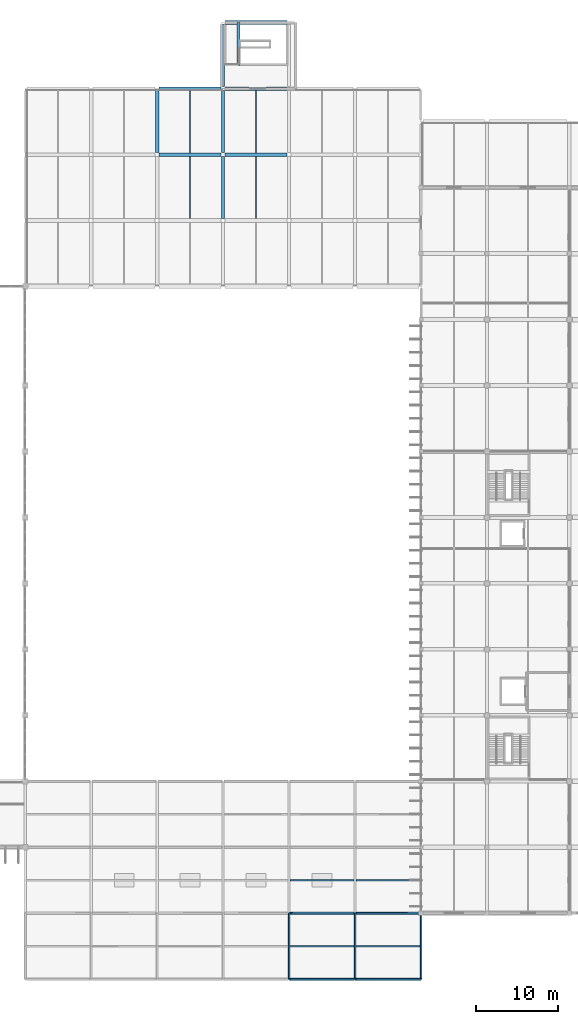
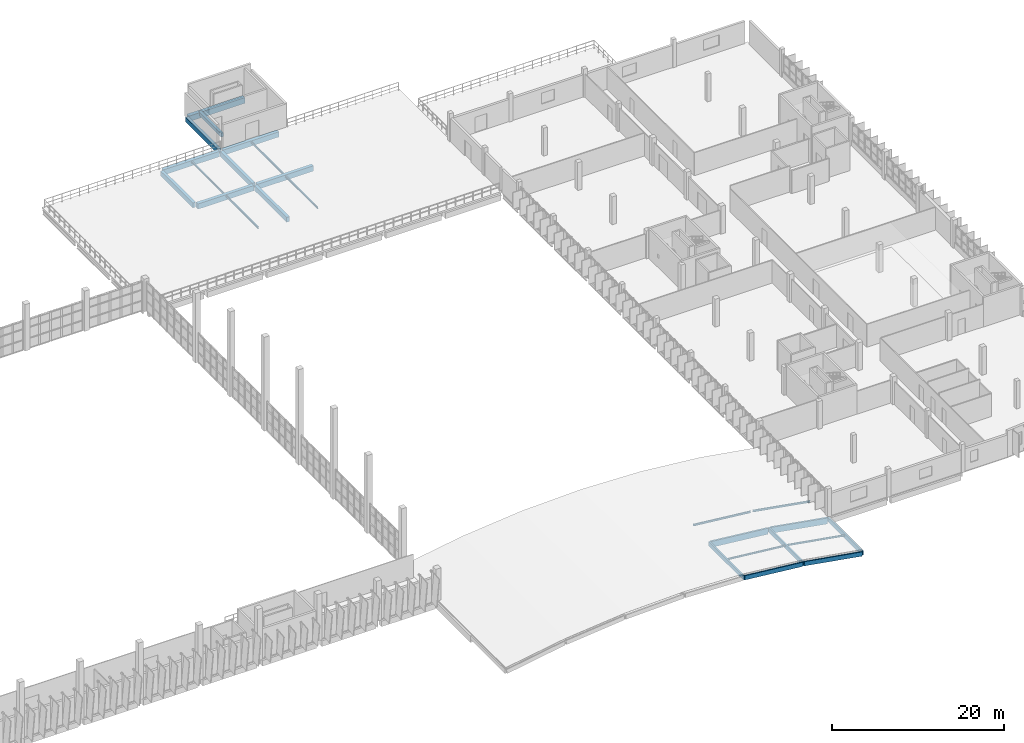
# One storey, part 24 of 66: 21 beams, 4 members.
"""IFC4 building model written with IfcOpenShell, lengths in metres."""

from ifc_helpers import new_model, si_unit, direction, frame, origin, origin_2d, place, context, subcontext, project, spatial, rectangle, i_section, extrude, material, material_profile, profile_set, type_object, element, save


model = new_model("IFC4")

# Units and contexts
model_context = context("Model", 3, precision=1e-05, world=origin(), true_north=direction((0.0, 1.0)))
body_context = subcontext(model_context, "Body", "Model", "MODEL_VIEW")
ifc_project = project(units=[si_unit("LENGTHUNIT", "METRE"), si_unit("AREAUNIT", "SQUARE_METRE"), si_unit("VOLUMEUNIT", "CUBIC_METRE"), si_unit("PLANEANGLEUNIT", "RADIAN"), si_unit("MASSUNIT", "GRAM", prefix="KILO")], contexts=[model_context])

# Site, building, storey
site_placement = place(None, origin())
site = spatial("IfcSite", under=ifc_project, at=site_placement, CompositionType="ELEMENT")
building_placement = place(site_placement, origin())
building = spatial("IfcBuilding", under=site, at=building_placement, Name="Drelvana Railside Aquatics Centre", CompositionType="ELEMENT")
storey_placement = place(building_placement, frame((0.0, 0.0, 10.199951171875)))
storey = spatial("IfcBuildingStorey", under=building, at=storey_placement, Name="L02", CompositionType="ELEMENT", Elevation=10.199951171875)

# Beams
ifc_material_1 = material(Name="Concrete C40/50", Category="concrete")
ifc_material_profile_1 = material_profile(ifc_material_1, rectangle(XDim=0.35009765625, YDim=0.550048828125, at=origin_2d()), Name="RC 350x550")
ifc_profile_set_1 = profile_set([ifc_material_profile_1], Name="Concrete C40/50")
beam_type_1 = type_object("IfcBeamType", Name="STR-BM-BM-01-RC-350x550", PredefinedType="BEAM", material=ifc_profile_set_1)
beam_1_placement = place(storey_placement, frame((121.85009765625, 110.800048828125, -0.474853515625), z_axis=(0.0, 1.0, 0.0), x_axis=(-1.0, 0.0, 0.0)))
element("IfcBeam", 1, at=beam_1_placement, inside=storey, type_object=beam_type_1, Name="Stair ST-05 L02 landing beam", PredefinedType="BEAM", context=body_context, shape_type="SweptSolid", body=[
    extrude(rectangle(XDim=0.35009765625, YDim=0.550048828125, at=origin_2d()), origin(), (0.0, 0.0, 1.0), 5.199951171875),
])
ifc_material_profile_2 = material_profile(ifc_material_1, rectangle(XDim=0.39990234375, YDim=0.699951171875, at=origin_2d()), Name="RC 400x700")
ifc_profile_set_2 = profile_set([ifc_material_profile_2], Name="Concrete C40/50")
beam_type_2 = type_object("IfcBeamType", Name="STR-BM-BM-03-RC-400x700", PredefinedType="BEAM", material=ifc_profile_set_2)
for number, where, z_axis, x_axis, name in (
    (2, (112.0, 100.25, -0.599853515625), (0.0, 1.0, 0.0), (-1.0, 0.0, 0.0), "Girder BM-03 (L02)"),
    (3, (120.0, 92.25, -0.599853515625), (0.0, 1.0, 0.0), (-1.0, 0.0, 0.0), "Girder BM-03 (L02)"),
    (4, (120.0, 100.25, -0.599853515625), (0.0, 1.0, 0.0), (-1.0, 0.0, 0.0), "Girder BM-03 (L02)"),
    (5, (120.0, 108.25, -0.599853515625), (0.0, 1.0, 0.0), (-1.0, 0.0, 0.0), "Girder BM-03 (L02)"),
):
    element("IfcBeam", number, at=place(storey_placement, frame(where, z_axis=z_axis, x_axis=x_axis)), inside=storey, type_object=beam_type_2, Name=name, PredefinedType="BEAM", context=body_context, shape_type="SweptSolid", body=[
        extrude(rectangle(XDim=0.39990234375, YDim=0.699951171875, at=origin_2d()), origin(), (0.0, 0.0, 1.0), 7.5),
    ])
ifc_material_profile_3 = material_profile(ifc_material_1, rectangle(XDim=0.449951171875, YDim=0.75, at=origin_2d()), Name="RC 450x750")
ifc_profile_set_3 = profile_set([ifc_material_profile_3], Name="Concrete C40/50")
beam_type_3 = type_object("IfcBeamType", Name="STR-BM-BM-04-RC-450x750", PredefinedType="BEAM", material=ifc_profile_set_3)
for number, where, z_axis, x_axis, name in (
    (6, (112.25, 100.0, -0.625), (1.0, 0.0, 0.0), (0.0, 1.0, 0.0), "Girder BM-04 (L02)"),
    (7, (120.25, 100.0, -0.625), (1.0, 0.0, 0.0), (0.0, 1.0, 0.0), "Girder BM-04 (L02)"),
    (8, (112.25, 108.0, -0.625), (1.0, 0.0, 0.0), (0.0, 1.0, 0.0), "Girder BM-04 (L02)"),
    (9, (120.25, 108.0, -0.625), (1.0, 0.0, 0.0), (0.0, 1.0, 0.0), "Girder BM-04 (L02)"),
):
    element("IfcBeam", number, at=place(storey_placement, frame(where, z_axis=z_axis, x_axis=x_axis)), inside=storey, type_object=beam_type_3, Name=name, PredefinedType="BEAM", context=body_context, shape_type="SweptSolid", body=[
        extrude(rectangle(XDim=0.449951171875, YDim=0.75, at=origin_2d()), origin(), (0.0, 0.0, 1.0), 7.5),
    ])
ifc_material_profile_4 = material_profile(ifc_material_1, rectangle(XDim=0.5, YDim=0.800048828125, at=origin_2d()), Name="RC 500x800")
ifc_profile_set_4 = profile_set([ifc_material_profile_4], Name="Concrete C40/50")
beam_type_4 = type_object("IfcBeamType", Name="STR-BM-BM-06-RC-500x800", PredefinedType="SPANDREL", material=ifc_profile_set_4)
beam_2_placement = place(storey_placement, frame((120.25, 116.0, -0.64990234375), z_axis=(1.0, 0.0, 0.0), x_axis=(0.0, 1.0, 0.0)))
element("IfcBeam", 10, at=beam_2_placement, inside=storey, type_object=beam_type_4, Name="Girder BM-06 (L02)", PredefinedType="SPANDREL", context=body_context, shape_type="SweptSolid", body=[
    extrude(rectangle(XDim=0.5, YDim=0.800048828125, at=origin_2d()), origin(), (0.0, 0.0, 1.0), 7.5),
])
ifc_material_2 = material(Name="Glulam timber GL28h", Category="wood")
ifc_material_profile_5 = material_profile(ifc_material_2, rectangle(XDim=0.199951171875, YDim=0.60009765625, at=origin_2d()), Name="GL28h 200x600")
ifc_profile_set_5 = profile_set([ifc_material_profile_5], Name="Glulam timber GL28h")
beam_type_5 = type_object("IfcBeamType", Name="STR-GLB-GA-00", PredefinedType="BEAM", material=ifc_profile_set_5)
for number, where, z_axis, x_axis, name in (
    (11, (128.0, 0.0, 1.643310546875), (0.0, 1.0, 0.0), (-1.0, 0.0, 0.0), "Entrance Foyer vault portal beam X128-S"),
    (12, (136.0, 0.0, 0.84326171875), (0.0, 1.0, 0.0), (-1.0, 0.0, 0.0), "Entrance Foyer vault portal beam X136-S"),
    (13, (144.0, 0.0, -0.489990234375), (0.0, 1.0, 0.0), (-1.0, 0.0, 0.0), "Entrance Foyer vault portal beam X144-S"),
):
    element("IfcBeam", number, at=place(storey_placement, frame(where, z_axis=z_axis, x_axis=x_axis)), inside=storey, type_object=beam_type_5, Name=name, PredefinedType="BEAM", context=body_context, shape_type="SweptSolid", body=[
        extrude(rectangle(XDim=0.199951171875, YDim=0.60009765625, at=origin_2d()), origin(), (0.0, 0.0, 1.0), 8.0),
    ])
beam_3_placement = place(storey_placement, frame((128.094970703125, 0.0, 1.6083984375), z_axis=(0.994794136777, 0.0, -0.101904982376), x_axis=(0.0, 1.0, 0.0)))
element("IfcBeam", 14, at=beam_3_placement, inside=storey, type_object=beam_type_5, Name="Entrance Foyer vault arch Y0.5", PredefinedType="BEAM", context=body_context, shape_type="SweptSolid", body=[
    extrude(rectangle(XDim=0.199951171875, YDim=0.60009765625, at=origin_2d()), origin(), (0.0, 0.0, 1.0), 7.850830078125),
])
beam_4_placement = place(storey_placement, frame((136.094970703125, 0.0, 0.808349609375), z_axis=(0.98574004103, 0.0, -0.168275284904), x_axis=(0.0, 1.0, 0.0)))
element("IfcBeam", 15, at=beam_4_placement, inside=storey, type_object=beam_type_5, Name="Entrance Foyer vault arch Y0.6", PredefinedType="BEAM", context=body_context, shape_type="SweptSolid", body=[
    extrude(rectangle(XDim=0.199951171875, YDim=0.60009765625, at=origin_2d()), origin(), (0.0, 0.0, 1.0), 7.923095703125),
])
ifc_material_profile_6 = material_profile(ifc_material_2, rectangle(XDim=0.239990234375, YDim=0.840087890625, at=origin_2d()), Name="GL28h 240x840")
ifc_profile_set_6 = profile_set([ifc_material_profile_6], Name="Glulam timber GL28h")
beam_type_6 = type_object("IfcBeamType", Name="STR-GLB-GA-02", PredefinedType="BEAM", material=ifc_profile_set_6)
beam_5_placement = place(storey_placement, frame((128.135009765625, 8.0, 1.48828125), z_axis=(0.994689797807, 0.0, -0.102918444116), x_axis=(0.0, 1.0, 0.0)))
element("IfcBeam", 16, at=beam_5_placement, inside=storey, type_object=beam_type_6, Name="Entrance Foyer vault arch Y8.5", PredefinedType="BEAM", context=body_context, shape_type="SweptSolid", body=[
    extrude(rectangle(XDim=0.239990234375, YDim=0.840087890625, at=origin_2d()), origin(), (0.0, 0.0, 1.0), 7.771240234375),
])
beam_6_placement = place(storey_placement, frame((136.135009765625, 8.0, 0.6884765625), z_axis=(0.985444297957, 0.0, -0.169998634181), x_axis=(0.0, 1.0, 0.0)))
element("IfcBeam", 17, at=beam_6_placement, inside=storey, type_object=beam_type_6, Name="Entrance Foyer vault arch Y8.6", PredefinedType="BEAM", context=body_context, shape_type="SweptSolid", body=[
    extrude(rectangle(XDim=0.239990234375, YDim=0.840087890625, at=origin_2d()), origin(), (0.0, 0.0, 1.0), 7.84423828125),
])

# Members
ifc_material_3 = material(Name="Structural steel S355", Category="steel")
ifc_material_profile_7 = material_profile(ifc_material_3, i_section(OverallWidth=0.1201171875, OverallDepth=0.239990234375, WebThickness=0.006103515625, FlangeThickness=0.009765625, at=origin_2d()), Name="IPE 240")
ifc_profile_set_7 = profile_set([ifc_material_profile_7], Name="Structural steel S355")
member_type_1 = type_object("IfcMemberType", Name="STR-MBR-MR-03", PredefinedType="RAFTER", material=ifc_profile_set_7)
member_1_placement = place(storey_placement, frame((128.094970703125, 4.0, 1.788330078125), z_axis=(0.994794136777, 0.0, -0.101904982376), x_axis=(0.0, 1.0, 0.0)))
element("IfcMember", 18, at=member_1_placement, inside=storey, type_object=member_type_1, Name="Entrance Foyer vault purlin Y4.5", PredefinedType="RAFTER", context=body_context, shape_type="SweptSolid", body=[
    extrude(i_section(OverallWidth=0.1201171875, OverallDepth=0.239990234375, WebThickness=0.006103515625, FlangeThickness=0.009765625, at=origin_2d()), origin(), (0.0, 0.0, 1.0), 7.850830078125),
])
member_2_placement = place(storey_placement, frame((136.094970703125, 4.0, 0.98828125), z_axis=(0.98574004103, 0.0, -0.168275284904), x_axis=(0.0, 1.0, 0.0)))
element("IfcMember", 19, at=member_2_placement, inside=storey, type_object=member_type_1, Name="Entrance Foyer vault purlin Y4.6", PredefinedType="RAFTER", context=body_context, shape_type="SweptSolid", body=[
    extrude(i_section(OverallWidth=0.1201171875, OverallDepth=0.239990234375, WebThickness=0.006103515625, FlangeThickness=0.009765625, at=origin_2d()), origin(), (0.0, 0.0, 1.0), 7.923095703125),
])
ifc_material_profile_8 = material_profile(ifc_material_3, i_section(OverallWidth=0.135009765625, OverallDepth=0.27001953125, WebThickness=0.006591796875, FlangeThickness=0.01025390625, at=origin_2d()), Name="IPE 270")
ifc_profile_set_8 = profile_set([ifc_material_profile_8], Name="Structural steel S355")
member_type_2 = type_object("IfcMemberType", Name="STR-MBR-MR-04", PredefinedType="RAFTER", material=ifc_profile_set_8)
member_3_placement = place(storey_placement, frame((128.135009765625, 12.0, 1.7734375), z_axis=(0.994686581227, 0.0, -0.102949527089), x_axis=(0.0, 1.0, 0.0)))
element("IfcMember", 20, at=member_3_placement, inside=storey, type_object=member_type_2, Name="Entrance Foyer vault purlin Y12.5", PredefinedType="RAFTER", context=body_context, shape_type="SweptSolid", body=[
    extrude(i_section(OverallWidth=0.135009765625, OverallDepth=0.27001953125, WebThickness=0.006591796875, FlangeThickness=0.01025390625, at=origin_2d()), origin(), (0.0, 0.0, 1.0), 7.771240234375),
])
member_4_placement = place(storey_placement, frame((136.135009765625, 12.0, 0.973388671875), z_axis=(0.985449511524, 0.0, -0.169968409527), x_axis=(0.0, 1.0, 0.0)))
element("IfcMember", 21, at=member_4_placement, inside=storey, type_object=member_type_2, Name="Entrance Foyer vault purlin Y12.6", PredefinedType="RAFTER", context=body_context, shape_type="SweptSolid", body=[
    extrude(i_section(OverallWidth=0.135009765625, OverallDepth=0.27001953125, WebThickness=0.006591796875, FlangeThickness=0.01025390625, at=origin_2d()), origin(), (0.0, 0.0, 1.0), 7.843994140625),
])

# Beams
ifc_material_profile_9 = material_profile(ifc_material_3, i_section(OverallWidth=0.135009765625, OverallDepth=0.27001953125, WebThickness=0.006591796875, FlangeThickness=0.01025390625, at=origin_2d()), Name="IPE 270")
ifc_profile_set_9 = profile_set([ifc_material_profile_9], Name="Structural steel S355")
beam_type_7 = type_object("IfcBeamType", Name="STR-SBM-SJ-02-IPE-270", PredefinedType="JOIST", material=ifc_profile_set_9)
for number, where, z_axis, x_axis, name in (
    (22, (116.0, 92.22509765625, -0.385009765625), (0.0, 1.0, 0.0), (-1.0, 0.0, 0.0), "Secondary floor joist SJ-02 (L02)"),
    (23, (116.0, 100.22509765625, -0.385009765625), (0.0, 1.0, 0.0), (-1.0, 0.0, 0.0), "Secondary floor joist SJ-02 (L02)"),
    (24, (124.0, 92.22509765625, -0.385009765625), (0.0, 1.0, 0.0), (-1.0, 0.0, 0.0), "Secondary floor joist SJ-02 (L02)"),
    (25, (124.0, 100.22509765625, -0.385009765625), (0.0, 1.0, 0.0), (-1.0, 0.0, 0.0), "Secondary floor joist SJ-02 (L02)"),
):
    element("IfcBeam", number, at=place(storey_placement, frame(where, z_axis=z_axis, x_axis=x_axis)), inside=storey, type_object=beam_type_7, Name=name, PredefinedType="JOIST", context=body_context, shape_type="SweptSolid", body=[
        extrude(i_section(OverallWidth=0.135009765625, OverallDepth=0.27001953125, WebThickness=0.006591796875, FlangeThickness=0.01025390625, at=origin_2d()), origin(), (0.0, 0.0, 1.0), 7.5498046875),
    ])

save(model, "model.ifc")
